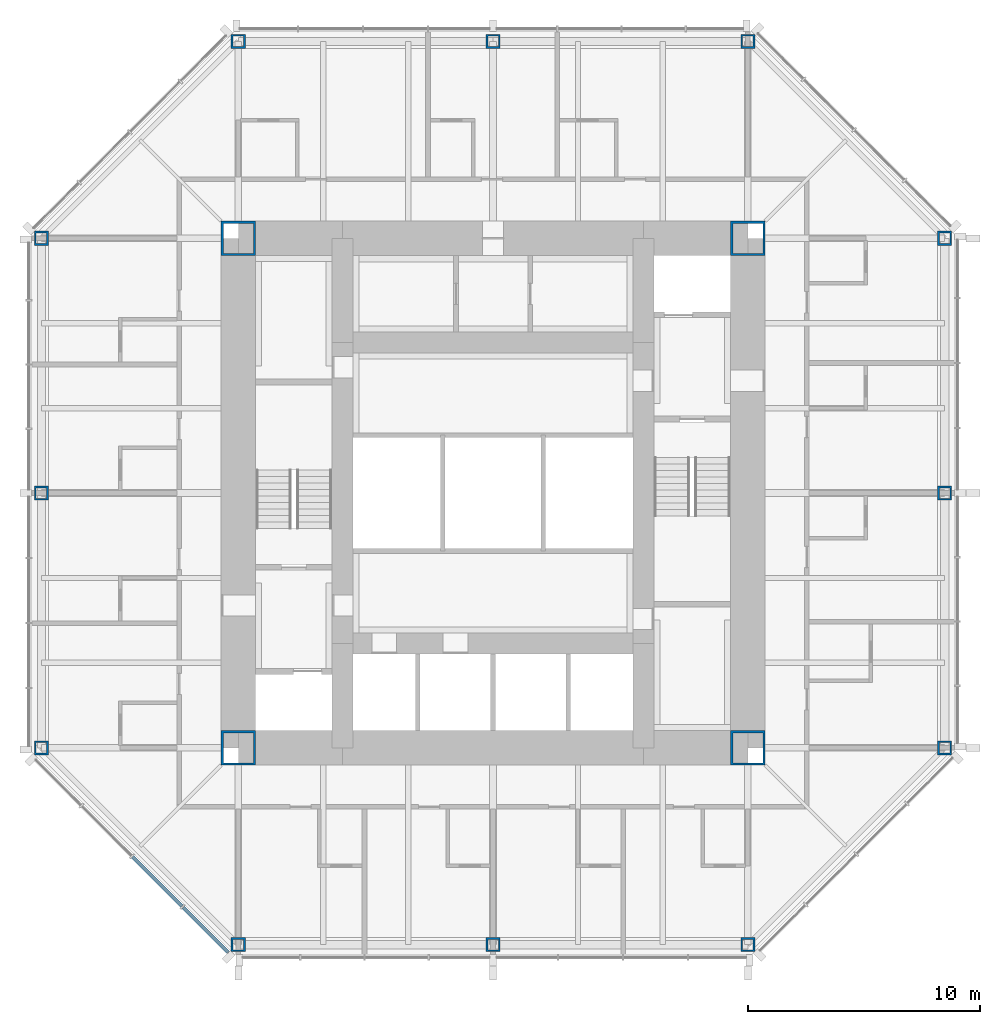
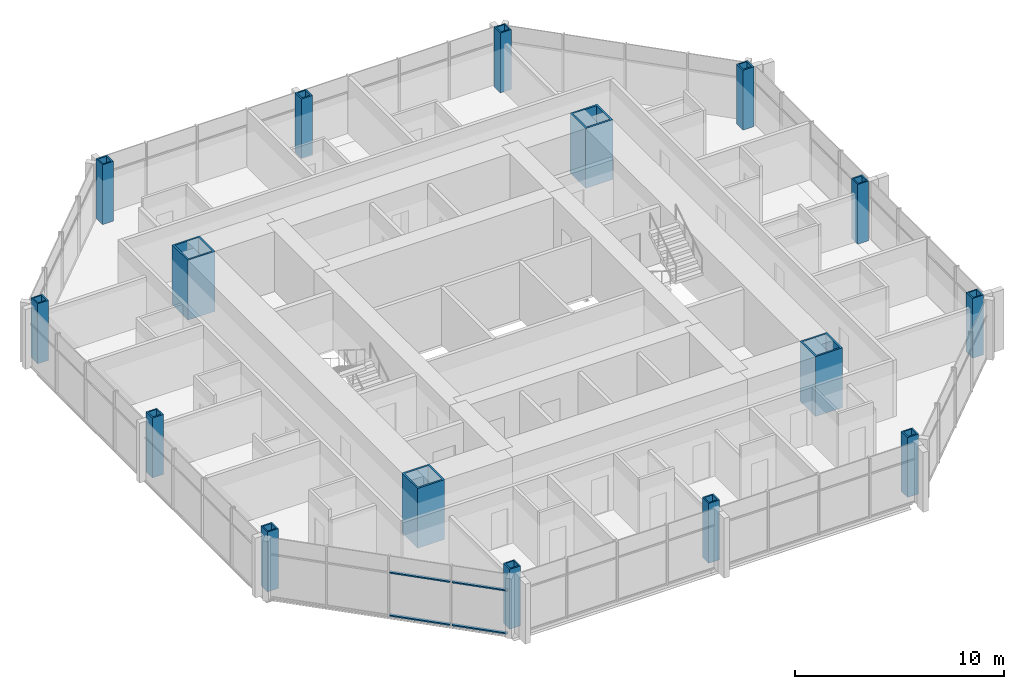
# One storey, part 1 of 12: 16 columns, 4 members, 1 element without a shape of its own.
"""IFC4 building model written with IfcOpenShell, lengths in metres."""

import ifcopenshell
import ifcopenshell.guid

model = None  # the IFC model being written
_history = None  # IfcOwnerHistory: only IFC2X3 demands one
_inside = {}  # id of a spatial element -> (the spatial element, [elements in it])
_under = {}  # id of a project, library or spatial element -> (it, [spatial elements below it])
_declared = {}  # id of a project -> (the project, [libraries it declares])
_typed = {}  # id of a type object -> (the type object, [elements of that type])
_made_of = {}  # id of a material, layer set ... -> (it, [elements and type objects made of it])


def new_model(schema):
    """Start an empty IFC model of exactly this schema.

    Asked for "IFC4X3", IfcOpenShell would pick the latest addendum, in which some entities
    have other attributes; the version numbers below select the first issue.
    IFC2X3 requires an IfcOwnerHistory on every rooted entity: one is made here for all.
    """
    global model, _history
    if schema == "IFC4X3":
        model = ifcopenshell.file(schema_version=(4, 3, 0, 0))
    else:
        model = ifcopenshell.file(schema=schema)
    _inside.clear()
    _under.clear()
    _declared.clear()
    _typed.clear()
    _made_of.clear()
    _history = None
    if model.schema == "IFC2X3":
        org = make("IfcOrganization", Name="unknown")
        user = make(
            "IfcPersonAndOrganization",
            ThePerson=make("IfcPerson", FamilyName="unknown"),
            TheOrganization=org,
        )
        app = make(
            "IfcApplication",
            ApplicationDeveloper=org,
            Version="unknown",
            ApplicationFullName="unknown",
            ApplicationIdentifier="unknown",
        )
        _history = make(
            "IfcOwnerHistory",
            OwningUser=user,
            OwningApplication=app,
            ChangeAction="ADDED",
            CreationDate=0,
        )
    return model


def make(cls, **values):
    """One entity of the class cls with the attributes given. An attribute that is None is left unset."""
    return model.create_entity(
        cls, **{name: value for name, value in values.items() if value is not None}
    )


def rooted(cls, **values):
    """An entity with a GlobalId (a new one), such as an element, a storey or a relation."""
    return make(cls, GlobalId=ifcopenshell.guid.new(), OwnerHistory=_history, **values)


def si_unit(unit_type, name, prefix=None):
    """IfcSIUnit, for example si_unit("LENGTHUNIT", "METRE", prefix="MILLI")."""
    return make("IfcSIUnit", UnitType=unit_type, Prefix=prefix, Name=name)


def assignment(units):
    """IfcUnitAssignment: the units of a project."""
    return None if units is None else make("IfcUnitAssignment", Units=units)


def point(xyz):
    """IfcCartesianPoint."""
    return None if xyz is None else make("IfcCartesianPoint", Coordinates=xyz)


def direction(xyz):
    """IfcDirection."""
    return None if xyz is None else make("IfcDirection", DirectionRatios=xyz)


def frame(location, z_axis=None, x_axis=None):
    """IfcAxis2Placement3D, a coordinate frame: its origin and axes. An axis left out is left unset."""
    return make(
        "IfcAxis2Placement3D",
        Location=point(location),
        Axis=direction(z_axis),
        RefDirection=direction(x_axis),
    )


def frame_2d(location, x_axis=None):
    """IfcAxis2Placement2D, a coordinate frame in the plane: its origin and x axis."""
    return make(
        "IfcAxis2Placement2D", Location=point(location), RefDirection=direction(x_axis)
    )


def origin():
    """The frame at (0, 0, 0) with its axes left unset."""
    return frame((0.0, 0.0, 0.0))


def origin_2d():
    """The frame at (0, 0) in the plane with its x axis left unset."""
    return frame_2d((0.0, 0.0))


def place(relative_to, where):
    """IfcLocalPlacement: puts the frame where relative to a parent placement (None: the world)."""
    return make(
        "IfcLocalPlacement", PlacementRelTo=relative_to, RelativePlacement=where
    )


def context(
    kind, dimensions, precision=None, world=None, true_north=None, identifier=None
):
    """IfcGeometricRepresentationContext, for example the 3D "Model" context."""
    return make(
        "IfcGeometricRepresentationContext",
        ContextIdentifier=identifier,
        ContextType=kind,
        CoordinateSpaceDimension=dimensions,
        Precision=precision,
        WorldCoordinateSystem=world,
        TrueNorth=true_north,
    )


def subcontext(parent, identifier, kind, view, scale=None):
    """IfcGeometricRepresentationSubContext, for example "Body" below "Model"."""
    return make(
        "IfcGeometricRepresentationSubContext",
        ContextIdentifier=identifier,
        ContextType=kind,
        ParentContext=parent,
        TargetScale=scale,
        TargetView=view,
    )


def project(units=None, contexts=None):
    """IfcProject with its units and contexts."""
    return rooted(
        "IfcProject",
        Name="project",
        RepresentationContexts=contexts,
        UnitsInContext=assignment(units),
    )


def spatial(cls, under=None, at=None, **own):
    """A site, building, storey or space (cls), placed at a placement, below another one or the project."""
    s = rooted(cls, ObjectPlacement=at, **own)
    if under is not None:
        _under.setdefault(under.id(), (under, []))[1].append(s)
    return s


def profile(cls, at=None, kind="AREA", **sizes):
    """A parametric profile (cls). Its sizes go by their IFC names, for example OverallWidth=200.0."""
    return make(cls, ProfileType=kind, Position=at, **sizes)


def rectangle(**sizes):
    """IfcRectangleProfileDef."""
    return profile("IfcRectangleProfileDef", **sizes)


def hollow_rectangle(**sizes):
    """IfcRectangleHollowProfileDef."""
    return profile("IfcRectangleHollowProfileDef", **sizes)


def extrude(swept, where, along, depth):
    """IfcExtrudedAreaSolid: the profile swept, set in the frame where, extruded along a direction by depth."""
    return make(
        "IfcExtrudedAreaSolid",
        SweptArea=swept,
        Position=where,
        ExtrudedDirection=direction(along),
        Depth=depth,
    )


def shape(context_of_items, identifier, shape_type, items):
    """IfcShapeRepresentation: the items that make up one representation, for example the "Body"."""
    return make(
        "IfcShapeRepresentation",
        ContextOfItems=context_of_items,
        RepresentationIdentifier=identifier,
        RepresentationType=shape_type,
        Items=items,
    )


def material(Name=None, Category=None):
    """IfcMaterial."""
    return make("IfcMaterial", Name=Name, Category=Category)


def material_profile(
    of_material, cross_section, Name=None, Category=None, Priority=None
):
    """IfcMaterialProfile: a cross section and its material."""
    return make(
        "IfcMaterialProfile",
        Name=Name,
        Material=of_material,
        Profile=cross_section,
        Priority=Priority,
        Category=Category,
    )


def profile_set(profiles, Name=None, composite=None):
    """IfcMaterialProfileSet."""
    return make(
        "IfcMaterialProfileSet",
        Name=Name,
        MaterialProfiles=profiles,
        CompositeProfile=composite,
    )


def made_of(thing, what):
    """Note that an element or type object is made of a material, layer set ...; save() writes the relation."""
    if what is not None:
        _made_of.setdefault(what.id(), (what, []))[1].append(thing)
    return thing


def type_object(cls, material=None, **own):
    """A type object (cls), such as IfcWallType, which elements share."""
    return made_of(rooted(cls, **own), material)


def element(
    cls,
    number,
    at=None,
    inside=None,
    cuts=None,
    type_object=None,
    material=None,
    context=None,
    identifier="Body",
    shape_type=None,
    held_by="IfcProductDefinitionShape",
    body=None,
    shapes=None,
    **own,
):
    """One element of the class cls, such as IfcWall. Its Tag is "e" and its number.

    at: its placement. inside: the storey or other place that contains it. cuts: it is an
    opening in that element (IfcRelVoidsElement). A single representation is given by context,
    identifier, shape_type and body (its items); several are given by shapes. held_by: the class
    of the entity that holds the representations. save() writes the other relations.
    """
    e = rooted(cls, Tag="e%d" % number, ObjectPlacement=at, **own)
    if body is not None:
        shapes = [shape(context, identifier, shape_type, body)]
    if shapes is not None:
        e.Representation = make(held_by, Representations=shapes)
    if inside is not None:
        _inside.setdefault(inside.id(), (inside, []))[1].append(e)
    if cuts is not None:
        rooted(
            "IfcRelVoidsElement", RelatingBuildingElement=cuts, RelatedOpeningElement=e
        )
    if type_object is not None:
        _typed.setdefault(type_object.id(), (type_object, []))[1].append(e)
    return made_of(e, material)


def aggregate(whole, parts):
    """IfcRelAggregates: a whole, such as a stair, and the parts it consists of."""
    return rooted("IfcRelAggregates", RelatingObject=whole, RelatedObjects=parts)


def save(model, path):
    """Write the relations noted so far, then the file.

    IfcRelAggregates (storeys below a building ...), IfcRelContainedInSpatialStructure (elements
    in a storey), IfcRelDefinesByType, IfcRelAssociatesMaterial and IfcRelDeclares: one each for
    every whole, place, type object, material and project.
    """
    for whole, parts in _under.values():
        aggregate(whole, parts)
    for where, things in _inside.values():
        rooted(
            "IfcRelContainedInSpatialStructure",
            RelatedElements=things,
            RelatingStructure=where,
        )
    for kind, things in _typed.values():
        rooted("IfcRelDefinesByType", RelatedObjects=things, RelatingType=kind)
    for what, things in _made_of.values():
        rooted("IfcRelAssociatesMaterial", RelatedObjects=things, RelatingMaterial=what)
    for by, libraries in _declared.values():
        rooted("IfcRelDeclares", RelatingContext=by, RelatedDefinitions=libraries)
    model.write(path)


model = new_model("IFC4")

# Units and contexts
model_context = context("Model", 3, precision=1e-05, world=origin(), true_north=direction((0.0, 1.0)))
body_context = subcontext(model_context, "Body", "Model", "MODEL_VIEW")
ifc_project = project(units=[si_unit("LENGTHUNIT", "METRE"), si_unit("AREAUNIT", "SQUARE_METRE"), si_unit("VOLUMEUNIT", "CUBIC_METRE"), si_unit("PLANEANGLEUNIT", "RADIAN"), si_unit("MASSUNIT", "GRAM", prefix="KILO")], contexts=[model_context])

# Site, building, storey
site_placement = place(None, origin())
site = spatial("IfcSite", under=ifc_project, at=site_placement, CompositionType="ELEMENT")
building_placement = place(site_placement, origin())
building = spatial("IfcBuilding", under=site, at=building_placement, Name="Trevanion Tower", CompositionType="ELEMENT")
storey_placement = place(building_placement, frame((0.0, 0.0, 208.199951171875)))
storey = spatial("IfcBuildingStorey", under=building, at=storey_placement, Name="L49", CompositionType="ELEMENT", Elevation=208.199951171875)

# Columns
ifc_material_1 = material(Name="Steel ASTM A572 Grade 50", Category="steel")
ifc_material_profile_1 = material_profile(ifc_material_1, hollow_rectangle(XDim=0.609619140625, YDim=0.609619140625, WallThickness=0.076171875, at=origin_2d()), Name="BOX24X24X3")
ifc_profile_set_1 = profile_set([ifc_material_profile_1], Name="Steel ASTM A572 Grade 50")
column_type_1 = type_object("IfcColumnType", Name="C5 BOX24X24X3", PredefinedType="COLUMN", material=ifc_profile_set_1)
for number, where, z_axis, x_axis, name in (
    (1, (-19.5, 0.0, 0.0), (0.0, 0.0, 1.0), (0.0, 1.0, 0.0), "C5 5/H L49"),
    (2, (-19.5, -11.0, 0.0), (0.0, 0.0, 1.0), (0.0, 1.0, 0.0), "C5 5/F L49"),
    (3, (-11.0, -19.5, 0.0), (0.0, 0.0, 1.0), (1.0, 0.0, 0.0), "C5 8/C L49"),
    (4, (0.0, -19.5, 0.0), (0.0, 0.0, 1.0), (1.0, 0.0, 0.0), "C5 10/C L49"),
    (5, (11.0, -19.5, 0.0), (0.0, 0.0, 1.0), (1.0, 0.0, 0.0), "C5 12/C L49"),
    (6, (19.5, -11.0, 0.0), (0.0, 0.0, 1.0), (0.0, 1.0, 0.0), "C5 15/F L49"),
    (7, (19.5, 0.0, 0.0), (0.0, 0.0, 1.0), (0.0, 1.0, 0.0), "C5 15/H L49"),
    (8, (19.5, 11.0, 0.0), (0.0, 0.0, 1.0), (0.0, 1.0, 0.0), "C5 15/K L49"),
    (9, (11.0, 19.5, 0.0), (0.0, 0.0, 1.0), (1.0, 0.0, 0.0), "C5 12/N L49"),
    (10, (0.0, 19.5, 0.0), (0.0, 0.0, 1.0), (1.0, 0.0, 0.0), "C5 10/N L49"),
    (11, (-11.0, 19.5, 0.0), (0.0, 0.0, 1.0), (1.0, 0.0, 0.0), "C5 8/N L49"),
    (12, (-19.5, 11.0, 0.0), (0.0, 0.0, 1.0), (0.0, 1.0, 0.0), "C5 5/K L49"),
):
    element("IfcColumn", number, at=place(storey_placement, frame(where, z_axis=z_axis, x_axis=x_axis)), inside=storey, type_object=column_type_1, Name=name, PredefinedType="COLUMN", context=body_context, shape_type="SweptSolid", body=[
        extrude(hollow_rectangle(XDim=0.609619140625, YDim=0.609619140625, WallThickness=0.076171875, at=origin_2d()), origin(), (0.0, 0.0, 1.0), 3.5),
    ])
ifc_material_2 = material(Name="Steel ASTM A572 Grade 50", Category="steel")
ifc_material_profile_2 = material_profile(ifc_material_2, hollow_rectangle(XDim=1.49853515625, YDim=1.49853515625, WallThickness=0.1015625, at=origin_2d()), Name="BOX59X59X4")
ifc_profile_set_2 = profile_set([ifc_material_profile_2], Name="Steel ASTM A572 Grade 50")
column_type_2 = type_object("IfcColumnType", Name="CB1 BOX59X59X4", PredefinedType="COLUMN", material=ifc_profile_set_2)
for number, where, z_axis, x_axis, name in (
    (13, (11.0, 11.0, 0.0), (0.0, 0.0, 1.0), (1.0, 0.0, 0.0), "CB1 NE L49"),
    (14, (-11.0, 11.0, 0.0), (0.0, 0.0, 1.0), (1.0, 0.0, 0.0), "CB1 NW L49"),
    (15, (-11.0, -11.0, 0.0), (0.0, 0.0, 1.0), (1.0, 0.0, 0.0), "CB1 SW L49"),
    (16, (11.0, -11.0, 0.0), (0.0, 0.0, 1.0), (1.0, 0.0, 0.0), "CB1 SE L49"),
):
    element("IfcColumn", number, at=place(storey_placement, frame(where, z_axis=z_axis, x_axis=x_axis)), inside=storey, type_object=column_type_2, Name=name, PredefinedType="COLUMN", context=body_context, shape_type="SweptSolid", body=[
        extrude(hollow_rectangle(XDim=1.49853515625, YDim=1.49853515625, WallThickness=0.1015625, at=origin_2d()), origin(), (0.0, 0.0, 1.0), 3.5),
    ])

# Curtain wall, members
ifc_material_3 = material(Name="Aluminium and glass", Category="aluminium")
curtain_wall_type = type_object("IfcCurtainWallType", Name="CW3 curtain wall", PredefinedType="USERDEFINED", material=ifc_material_3)
curtain_wall_placement = place(storey_placement, origin())
curtain_wall = element("IfcCurtainWall", 17, at=curtain_wall_placement, inside=storey, type_object=curtain_wall_type, Name="CW3 L49 5", ObjectType="UNITISED CURTAIN WALL", PredefinedType="USERDEFINED")
ifc_material_4 = material(Name="Aluminium extrusion, anodised bronze", Category="aluminium")
ifc_material_profile_3 = material_profile(ifc_material_4, rectangle(XDim=0.14990234375, YDim=0.074951171875, at=origin_2d()), Name="CW3 transom")
ifc_profile_set_3 = profile_set([ifc_material_profile_3], Name="Aluminium extrusion, anodised bronze")
member_type = type_object("IfcMemberType", Name="CW3 transom", PredefinedType="USERDEFINED", material=ifc_profile_set_3)
member_1_placement = place(storey_placement, frame((-15.56640625, -15.71142578125, -0.15234375), z_axis=(0.707106781187, -0.707106781187, 0.0), x_axis=(0.707106781187, 0.707106781187, 0.0)))
member_1 = element("IfcMember", 18, at=member_1_placement, type_object=member_type, Name="CW3 transom 3.1", ObjectType="TRANSOM", PredefinedType="USERDEFINED", context=body_context, shape_type="SweptSolid", body=[
    extrude(rectangle(XDim=0.14990234375, YDim=0.074951171875, at=origin_2d()), origin(), (0.0, 0.0, 1.0), 3.011474609375),
])
member_2_placement = place(storey_placement, frame((-15.56640625, -15.71142578125, 2.360107421875), z_axis=(0.707106781187, -0.707106781187, 0.0), x_axis=(0.707106781187, 0.707106781187, 0.0)))
member_2 = element("IfcMember", 19, at=member_2_placement, type_object=member_type, Name="CW3 transom 3.2", ObjectType="TRANSOM", PredefinedType="USERDEFINED", context=body_context, shape_type="SweptSolid", body=[
    extrude(rectangle(XDim=0.14990234375, YDim=0.074951171875, at=origin_2d()), origin(), (0.0, 0.0, 1.0), 3.011474609375),
])
member_3_placement = place(storey_placement, frame((-13.3837890625, -17.89404296875, -0.15234375), z_axis=(0.707106781187, -0.707106781187, 0.0), x_axis=(0.707106781187, 0.707106781187, 0.0)))
member_3 = element("IfcMember", 20, at=member_3_placement, type_object=member_type, Name="CW3 transom 4.1", ObjectType="TRANSOM", PredefinedType="USERDEFINED", context=body_context, shape_type="SweptSolid", body=[
    extrude(rectangle(XDim=0.14990234375, YDim=0.074951171875, at=origin_2d()), origin(), (0.0, 0.0, 1.0), 2.7490234375),
])
member_4_placement = place(storey_placement, frame((-13.3837890625, -17.89404296875, 2.360107421875), z_axis=(0.707106781187, -0.707106781187, 0.0), x_axis=(0.707106781187, 0.707106781187, 0.0)))
member_4 = element("IfcMember", 21, at=member_4_placement, type_object=member_type, Name="CW3 transom 4.2", ObjectType="TRANSOM", PredefinedType="USERDEFINED", context=body_context, shape_type="SweptSolid", body=[
    extrude(rectangle(XDim=0.14990234375, YDim=0.074951171875, at=origin_2d()), origin(), (0.0, 0.0, 1.0), 2.7490234375),
])
aggregate(curtain_wall, [member_1, member_2, member_3, member_4])

save(model, "model.ifc")
